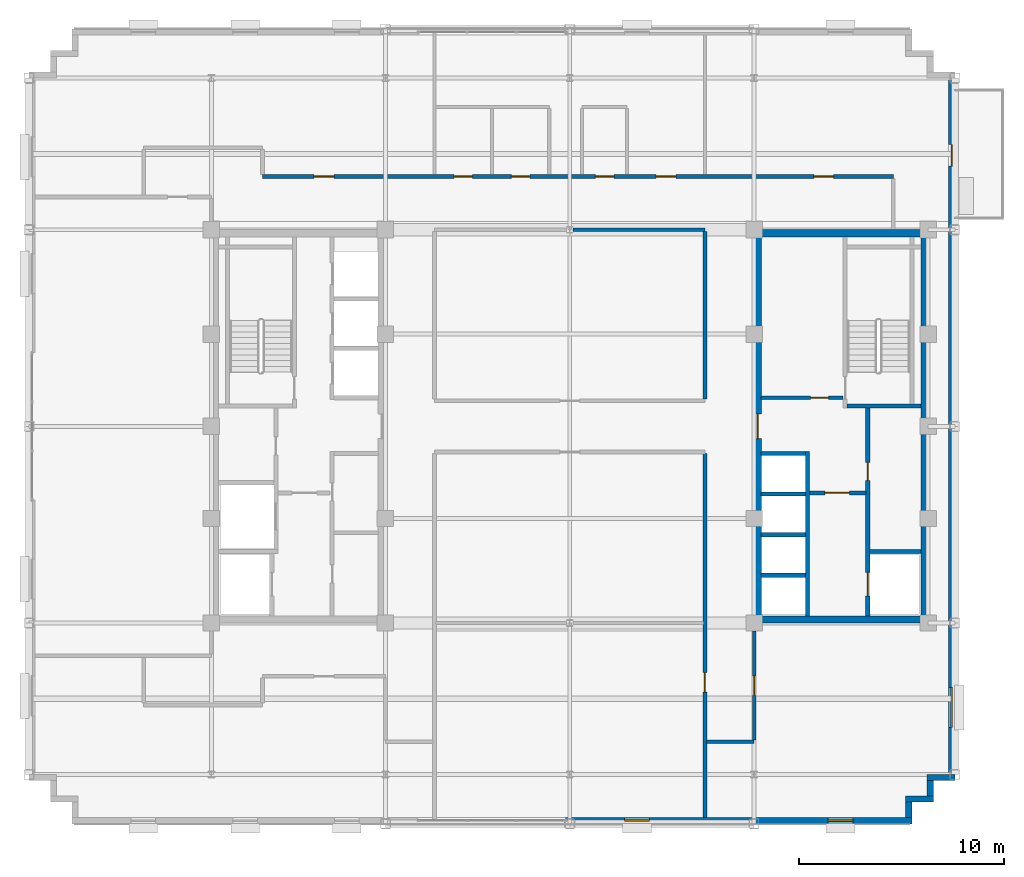
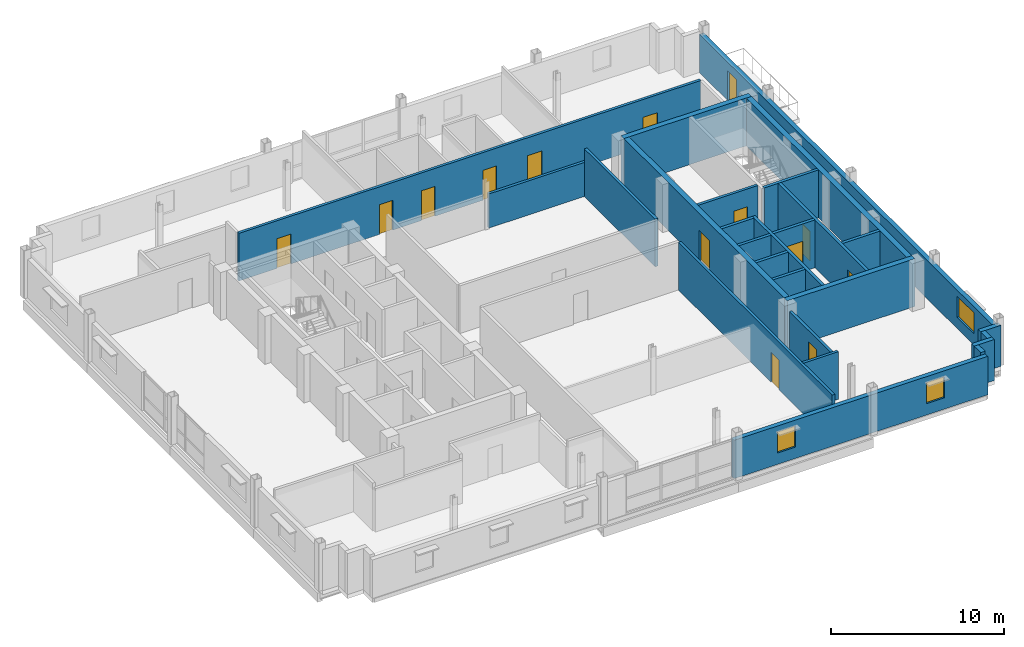
# One storey, part 7 of 16: 26 walls, 14 doors, 3 windows, 17 openings.
"""IFC4 building model written with IfcOpenShell, lengths in metres."""

from ifc_helpers import new_model, si_unit, direction, frame, frame_2d, origin, place, context, subcontext, project, spatial, rectangle, extrude, source, transform, mapped, material, layer, layer_set, type_object, type_shapes, element, fill, save


model = new_model("IFC4")

# Units and contexts
model_context = context("Model", 3, precision=1e-05, world=origin(), true_north=direction((0.0, 1.0)))
body_context = subcontext(model_context, "Body", "Model", "MODEL_VIEW")
ifc_project = project(units=[si_unit("LENGTHUNIT", "METRE"), si_unit("AREAUNIT", "SQUARE_METRE"), si_unit("VOLUMEUNIT", "CUBIC_METRE"), si_unit("PLANEANGLEUNIT", "RADIAN"), si_unit("MASSUNIT", "GRAM", prefix="KILO")], contexts=[model_context])

# Site, building, storey
site_placement = place(None, origin())
site = spatial("IfcSite", under=ifc_project, at=site_placement, CompositionType="ELEMENT")
building_placement = place(site_placement, origin())
building = spatial("IfcBuilding", under=site, at=building_placement, Name="Nuvemarco Arch Tower", CompositionType="ELEMENT")
storey_placement = place(building_placement, frame((0.0, 0.0, 227.39990234375)))
storey = spatial("IfcBuildingStorey", under=building, at=storey_placement, Name="L60", CompositionType="ELEMENT", Elevation=227.39990234375)

# Wall, openings, windows
ifc_material_1 = material(Name="Precast concrete C45/55", Category="concrete")
ifc_layer_1 = layer(ifc_material_1, 0.300048828125, Name="EW-HIGH-300")
ifc_layer_set_1 = layer_set([ifc_layer_1], Name="Precast concrete C45/55")
wall_type_1 = type_object("IfcWallType", Name="EW-HIGH-300", PredefinedType="STANDARD", material=ifc_layer_set_1)
wall_1_placement = place(storey_placement, frame((-0.199951171875, -19.25, 0.0), z_axis=(0.0, 0.0, 1.0), x_axis=(1.0, 0.0, 0.0)))
wall_1 = element("IfcWall", 1, at=wall_1_placement, inside=storey, type_object=wall_type_1, Name="L60 exterior precast pier wall south right", PredefinedType="STANDARD", context=body_context, shape_type="SweptSolid", body=[
    extrude(rectangle(XDim=16.89990234375, YDim=0.300048828125, at=frame_2d((8.449951171875, 0.0))), origin(), (0.0, 0.0, 1.0), 2.705078125),
])
opening_1_placement = place(wall_1_placement, frame((2.88330078125, 0.0, 0.800048828125)))
opening_1 = element("IfcOpeningElement", 2, at=opening_1_placement, cuts=wall_1, Name="Opening WN-8", PredefinedType="OPENING", context=body_context, shape_type="SweptSolid", body=[
    extrude(rectangle(XDim=1.199951171875, YDim=1.47998046875, at=frame_2d((0.60009765625, 0.739990234375))), frame((0.0, 0.159912109375, 0.0), z_axis=(0.0, -1.0, 0.0), x_axis=(1.0, 0.0, 0.0)), (0.0, 0.0, 1.0), 0.320068359375),
])
opening_2_placement = place(wall_1_placement, frame((12.816650390625, 0.0, 0.800048828125)))
opening_2 = element("IfcOpeningElement", 3, at=opening_2_placement, cuts=wall_1, Name="Opening WN-8", PredefinedType="OPENING", context=body_context, shape_type="SweptSolid", body=[
    extrude(rectangle(XDim=1.199951171875, YDim=1.47998046875, at=frame_2d((0.60009765625, 0.739990234375))), frame((0.0, 0.159912109375, 0.0), z_axis=(0.0, -1.0, 0.0), x_axis=(1.0, 0.0, 0.0)), (0.0, 0.0, 1.0), 0.320068359375),
])
ifc_material_2 = material(Name="Insulated solar-control glass", Category="glass")
window_type_1 = type_object("IfcWindowType", Name="WN-HIGH-1200x1480", PartitioningType="SINGLE_PANEL", PredefinedType="WINDOW", material=ifc_material_2)
shared_shape_1 = source(origin(), body_context, "Body", "SweptSolid", [
    extrude(rectangle(XDim=1.199951171875, YDim=1.47998046875, at=frame_2d((0.60009765625, 0.739990234375))), frame((0.0, 0.030029296875, 0.0), z_axis=(0.0, -1.0, 0.0), x_axis=(1.0, 0.0, 0.0)), (0.0, 0.0, 1.0), 0.06005859375),
])
type_shapes(window_type_1, [shared_shape_1])
window_1_placement = place(opening_1_placement, origin())
window_1 = element("IfcWindow", 4, at=window_1_placement, inside=storey, type_object=window_type_1, Name="L60 punched facade window 1", OverallHeight=1.47998046875, OverallWidth=1.199951171875, PartitioningType="SINGLE_PANEL", PredefinedType="WINDOW", context=body_context, shape_type="MappedRepresentation", body=[
    mapped(shared_shape_1, transform((0.0, 0.0, 0.0), scale=1.0)),
])
fill(opening_1, window_1)
window_2_placement = place(opening_2_placement, origin())
window_2 = element("IfcWindow", 5, at=window_2_placement, inside=storey, type_object=window_type_1, Name="L60 punched facade window 3", OverallHeight=1.47998046875, OverallWidth=1.199951171875, PartitioningType="SINGLE_PANEL", PredefinedType="WINDOW", context=body_context, shape_type="MappedRepresentation", body=[
    mapped(shared_shape_1, transform((0.0, 0.0, 0.0), scale=1.0)),
])
fill(opening_2, window_2)

# Walls
wall_2_placement = place(storey_placement, frame((16.550048828125, -19.10400390625, 0.0), z_axis=(0.0, 0.0, 1.0), x_axis=(0.0, 1.0, 0.0)))
element("IfcWall", 6, at=wall_2_placement, inside=storey, type_object=wall_type_1, Name="L60 exterior precast facade wall 2", PredefinedType="STANDARD", context=body_context, shape_type="SweptSolid", body=[
    extrude(rectangle(XDim=0.758056640625, YDim=0.300048828125, at=frame_2d((0.37890625, 0.0))), origin(), (0.0, 0.0, 1.0), 2.89208984375),
])
wall_3_placement = place(storey_placement, frame((16.39990234375, -18.199951171875, 0.0), z_axis=(0.0, 0.0, 1.0), x_axis=(1.0, 0.0, 0.0)))
element("IfcWall", 7, at=wall_3_placement, inside=storey, type_object=wall_type_1, Name="L60 exterior precast facade wall 3", PredefinedType="STANDARD", context=body_context, shape_type="SweptSolid", body=[
    extrude(rectangle(XDim=1.35009765625, YDim=0.300048828125, at=frame_2d((0.675048828125, 0.0))), origin(), (0.0, 0.0, 1.0), 2.89208984375),
])
wall_4_placement = place(storey_placement, frame((17.60009765625, -18.053955078125, 0.0), z_axis=(0.0, 0.0, 1.0), x_axis=(0.0, 1.0, 0.0)))
element("IfcWall", 8, at=wall_4_placement, inside=storey, type_object=wall_type_1, Name="L60 exterior precast facade wall 4", PredefinedType="STANDARD", context=body_context, shape_type="SweptSolid", body=[
    extrude(rectangle(XDim=0.758056640625, YDim=0.300048828125, at=frame_2d((0.37890625, 0.0))), origin(), (0.0, 0.0, 1.0), 2.89208984375),
])
wall_5_placement = place(storey_placement, frame((17.449951171875, -17.14990234375, 0.0), z_axis=(0.0, 0.0, 1.0), x_axis=(1.0, 0.0, 0.0)))
element("IfcWall", 9, at=wall_5_placement, inside=storey, type_object=wall_type_1, Name="L60 exterior precast facade wall 5", PredefinedType="STANDARD", context=body_context, shape_type="SweptSolid", body=[
    extrude(rectangle(XDim=1.35009765625, YDim=0.300048828125, at=frame_2d((0.675048828125, 0.0))), origin(), (0.0, 0.0, 1.0), 2.89208984375),
])

# Wall, openings, door, window
wall_6_placement = place(storey_placement, frame((18.64990234375, -17.00390625, 0.0), z_axis=(0.0, 0.0, 1.0), x_axis=(0.0, 1.0, 0.0)))
wall_6 = element("IfcWall", 10, at=wall_6_placement, inside=storey, type_object=wall_type_1, Name="L60 exterior precast facade wall 6", PredefinedType="STANDARD", context=body_context, shape_type="SweptSolid", body=[
    extrude(rectangle(XDim=34.0078125, YDim=0.300048828125, at=frame_2d((17.00390625, 0.0))), origin(), (0.0, 0.0, 1.0), 2.705078125),
])
opening_3_placement = place(wall_6_placement, frame((30.754150390625, 0.0, 0.0), z_axis=(0.0, 0.0, 1.0), x_axis=(-1.0, 0.0, 0.0)))
opening_3 = element("IfcOpeningElement", 11, at=opening_3_placement, cuts=wall_6, Name="Opening ED-5", PredefinedType="OPENING", context=body_context, shape_type="SweptSolid", body=[
    extrude(rectangle(XDim=1.050048828125, YDim=2.10009765625, at=frame_2d((0.52490234375, 1.050048828125))), frame((0.0, 0.159912109375, 0.0), z_axis=(0.0, -1.0, 0.0), x_axis=(1.0, 0.0, 0.0)), (0.0, 0.0, 1.0), 0.320068359375),
])
opening_4_placement = place(wall_6_placement, frame((2.311279296875, 0.0, 0.800048828125)))
opening_4 = element("IfcOpeningElement", 12, at=opening_4_placement, cuts=wall_6, Name="Opening WN-7", PredefinedType="OPENING", context=body_context, shape_type="SweptSolid", body=[
    extrude(rectangle(XDim=1.949951171875, YDim=1.47998046875, at=frame_2d((0.97509765625, 0.739990234375))), frame((0.0, 0.159912109375, 0.0), z_axis=(0.0, -1.0, 0.0), x_axis=(1.0, 0.0, 0.0)), (0.0, 0.0, 1.0), 0.320068359375),
])
ifc_material_3 = material(Name="Anodised bronze and laminated glass", Category="glass")
door_type_1 = type_object("IfcDoorType", Name="DR-EXT-TERR", OperationType="NOTDEFINED", PredefinedType="DOOR", material=ifc_material_3)
shared_shape_2 = source(origin(), body_context, "Body", "SweptSolid", [
    extrude(rectangle(XDim=1.050048828125, YDim=2.10009765625, at=frame_2d((0.52490234375, 1.050048828125))), frame((0.0, 0.02490234375, 0.0), z_axis=(0.0, -1.0, 0.0), x_axis=(1.0, 0.0, 0.0)), (0.0, 0.0, 1.0), 0.050048828125),
])
type_shapes(door_type_1, [shared_shape_2])
door_1_placement = place(opening_3_placement, origin())
door_1 = element("IfcDoor", 13, at=door_1_placement, inside=storey, type_object=door_type_1, Name="L60 spiral terrace access door", OperationType="SINGLE_SWING_LEFT", OverallHeight=2.10009765625, OverallWidth=1.050048828125, PredefinedType="DOOR", context=body_context, shape_type="MappedRepresentation", body=[
    mapped(shared_shape_2, transform((0.0, 0.0, 0.0), scale=1.0)),
])
fill(opening_3, door_1)
window_type_2 = type_object("IfcWindowType", Name="WN-HIGH-1950x1480", PartitioningType="DOUBLE_PANEL_VERTICAL", PredefinedType="WINDOW", material=ifc_material_2)
shared_shape_3 = source(origin(), body_context, "Body", "SweptSolid", [
    extrude(rectangle(XDim=1.949951171875, YDim=1.47998046875, at=frame_2d((0.97509765625, 0.739990234375))), frame((0.0, 0.030029296875, 0.0), z_axis=(0.0, -1.0, 0.0), x_axis=(1.0, 0.0, 0.0)), (0.0, 0.0, 1.0), 0.06005859375),
])
type_shapes(window_type_2, [shared_shape_3])
window_3_placement = place(opening_4_placement, origin())
window_3 = element("IfcWindow", 14, at=window_3_placement, inside=storey, type_object=window_type_2, Name="L60 punched facade window 1", OverallHeight=1.47998046875, OverallWidth=1.949951171875, PartitioningType="SINGLE_PANEL", PredefinedType="WINDOW", context=body_context, shape_type="MappedRepresentation", body=[
    mapped(shared_shape_3, transform((0.0, 0.0, 0.0), scale=1.0)),
])
fill(opening_4, window_3)

# Walls
ifc_material_4 = material(Name="Concrete C50/60", Category="concrete")
ifc_layer_2 = layer(ifc_material_4, 0.35009765625, Name="WL-CORE-350")
ifc_layer_set_2 = layer_set([ifc_layer_2], Name="Concrete C50/60")
wall_type_2 = type_object("IfcWallType", Name="WL-CORE-350", PredefinedType="SHEAR", material=ifc_layer_set_2)
for number, where, z_axis, x_axis, name in (
    (15, (9.0, -9.425048828125, 0.0), (0.0, 0.0, 1.0), (1.0, 0.0, 0.0), "L60 E-core shear wall S"),
    (16, (9.0, 9.425048828125, 0.0), (0.0, 0.0, 1.0), (1.0, 0.0, 0.0), "L60 E-core shear wall N"),
):
    element("IfcWall", number, at=place(storey_placement, frame(where, z_axis=z_axis, x_axis=x_axis)), inside=storey, type_object=wall_type_2, Name=name, PredefinedType="SHEAR", context=body_context, shape_type="SweptSolid", body=[
        extrude(rectangle(XDim=8.5, YDim=0.35009765625, at=frame_2d((4.25, 0.0))), origin(), (0.0, 0.0, 1.0), 3.3701171875),
    ])

# Wall, opening, door
wall_7_placement = place(storey_placement, frame((9.175048828125, -9.2548828125, 0.0), z_axis=(0.0, 0.0, 1.0), x_axis=(0.0, 1.0, 0.0)))
wall_7 = element("IfcWall", 17, at=wall_7_placement, inside=storey, type_object=wall_type_2, Name="L60 E-core shear wall W", PredefinedType="SHEAR", context=body_context, shape_type="SweptSolid", body=[
    extrude(rectangle(XDim=18.509765625, YDim=0.35009765625, at=frame_2d((9.2548828125, 0.0))), origin(), (0.0, 0.0, 1.0), 3.3701171875),
])
opening_5_placement = place(wall_7_placement, frame((8.655029296875, 0.0, 0.0)))
opening_5 = element("IfcOpeningElement", 18, at=opening_5_placement, cuts=wall_7, Name="Opening FD-2", PredefinedType="OPENING", context=body_context, shape_type="SweptSolid", body=[
    extrude(rectangle(XDim=1.199951171875, YDim=2.14990234375, at=frame_2d((0.60009765625, 1.074951171875))), frame((0.0, 0.18505859375, 0.0), z_axis=(0.0, -1.0, 0.0), x_axis=(1.0, 0.0, 0.0)), (0.0, 0.0, 1.0), 0.3701171875),
])
ifc_material_5 = material(Name="Anodised steel fire door", Category="steel")
door_type_2 = type_object("IfcDoorType", Name="DR-FFLOB-FD", OperationType="NOTDEFINED", PredefinedType="DOOR", material=ifc_material_5)
shared_shape_4 = source(origin(), body_context, "Body", "SweptSolid", [
    extrude(rectangle(XDim=1.199951171875, YDim=2.14990234375, at=frame_2d((0.60009765625, 1.074951171875))), frame((0.0, 0.02490234375, 0.0), z_axis=(0.0, -1.0, 0.0), x_axis=(1.0, 0.0, 0.0)), (0.0, 0.0, 1.0), 0.050048828125),
])
type_shapes(door_type_2, [shared_shape_4])
door_2_placement = place(opening_5_placement, origin())
door_2 = element("IfcDoor", 19, at=door_2_placement, inside=storey, type_object=door_type_2, Name="L60 door FD-L60-ECORE-W", OperationType="SINGLE_SWING_RIGHT", OverallHeight=2.14990234375, OverallWidth=1.199951171875, PredefinedType="DOOR", context=body_context, shape_type="MappedRepresentation", body=[
    mapped(shared_shape_4, transform((0.0, 0.0, 0.0), scale=1.0)),
])
fill(opening_5, door_2)

# Wall
wall_8_placement = place(storey_placement, frame((17.324951171875, -9.2548828125, 0.0), z_axis=(0.0, 0.0, 1.0), x_axis=(0.0, 1.0, 0.0)))
element("IfcWall", 20, at=wall_8_placement, inside=storey, type_object=wall_type_2, Name="L60 E-core shear wall E", PredefinedType="SHEAR", context=body_context, shape_type="SweptSolid", body=[
    extrude(rectangle(XDim=18.509765625, YDim=0.35009765625, at=frame_2d((9.2548828125, 0.0))), origin(), (0.0, 0.0, 1.0), 3.3701171875),
])

# Wall, opening, door
ifc_material_6 = material(Name="Fire-rated gypsum drywall partition")
ifc_layer_3 = layer(ifc_material_6, 0.179931640625, Name="WL-CORR-180")
ifc_layer_set_3 = layer_set([ifc_layer_3], Name="Fire-rated gypsum drywall partition")
wall_type_3 = type_object("IfcWallType", Name="WL-CORR-180", PredefinedType="PARTITIONING", material=ifc_layer_set_3)
wall_9_placement = place(storey_placement, frame((9.344970703125, 1.39990234375, 0.0), z_axis=(0.0, 0.0, 1.0), x_axis=(1.0, 0.0, 0.0)))
wall_9 = element("IfcWall", 21, at=wall_9_placement, inside=storey, type_object=wall_type_3, Name="L60 interior wall IW-L60-EK-S", PredefinedType="PARTITIONING", context=body_context, shape_type="SweptSolid", body=[
    extrude(rectangle(XDim=4.0, YDim=0.179931640625, at=frame_2d((2.0, 0.0))), origin(), (0.0, 0.0, 1.0), 3.360107421875),
])
opening_6_placement = place(wall_9_placement, frame((2.4150390625, 0.0, 0.0)))
opening_6 = element("IfcOpeningElement", 22, at=opening_6_placement, cuts=wall_9, Name="Opening FD-4", PredefinedType="OPENING", context=body_context, shape_type="SweptSolid", body=[
    extrude(rectangle(XDim=0.8798828125, YDim=2.10009765625, at=frame_2d((0.43994140625, 1.050048828125))), frame((0.0, 0.099853515625, 0.0), z_axis=(0.0, -1.0, 0.0), x_axis=(1.0, 0.0, 0.0)), (0.0, 0.0, 1.0), 0.199951171875),
])
door_type_3 = type_object("IfcDoorType", Name="DR-RISER-FD", OperationType="NOTDEFINED", PredefinedType="DOOR", material=ifc_material_5)
shared_shape_5 = source(origin(), body_context, "Body", "SweptSolid", [
    extrude(rectangle(XDim=0.8798828125, YDim=2.10009765625, at=frame_2d((0.43994140625, 1.050048828125))), frame((0.0, 0.02490234375, 0.0), z_axis=(0.0, -1.0, 0.0), x_axis=(1.0, 0.0, 0.0)), (0.0, 0.0, 1.0), 0.050048828125),
])
type_shapes(door_type_3, [shared_shape_5])
door_3_placement = place(opening_6_placement, origin())
door_3 = element("IfcDoor", 23, at=door_3_placement, inside=storey, type_object=door_type_3, Name="L60 door FD-L60-EK1A", OperationType="SINGLE_SWING_LEFT", OverallHeight=2.10009765625, OverallWidth=0.8798828125, PredefinedType="DOOR", context=body_context, shape_type="MappedRepresentation", body=[
    mapped(shared_shape_5, transform((0.0, 0.0, 0.0), scale=1.0)),
])
fill(opening_6, door_3)

# Walls
wall_10_placement = place(storey_placement, frame((6.666015625, -15.39990234375, 0.0), z_axis=(0.0, 0.0, 1.0), x_axis=(1.0, 0.0, 0.0)))
element("IfcWall", 24, at=wall_10_placement, inside=storey, type_object=wall_type_3, Name="L60 interior wall IW-L60-002", PredefinedType="PARTITIONING", context=body_context, shape_type="SweptSolid", body=[
    extrude(rectangle(XDim=2.333984375, YDim=0.179931640625, at=frame_2d((1.1669921875, 0.0))), origin(), (0.0, 0.0, 1.0), 3.360107421875),
])
wall_11_placement = place(storey_placement, frame((0.15087890625, 9.60009765625, 0.0), z_axis=(0.0, 0.0, 1.0), x_axis=(1.0, 0.0, 0.0)))
element("IfcWall", 25, at=wall_11_placement, inside=storey, type_object=wall_type_3, Name="L60 interior wall IW-L60-011", PredefinedType="PARTITIONING", context=body_context, shape_type="SweptSolid", body=[
    extrude(rectangle(XDim=6.44921875, YDim=0.179931640625, at=frame_2d((3.224609375, 0.0))), origin(), (0.0, 0.0, 1.0), 2.405029296875),
])

# Wall, openings, doors
wall_12_placement = place(storey_placement, frame((-15.0, 12.199951171875, 0.0), z_axis=(0.0, 0.0, 1.0), x_axis=(1.0, 0.0, 0.0)))
wall_12 = element("IfcWall", 26, at=wall_12_placement, inside=storey, type_object=wall_type_3, Name="L60 interior wall IW-L60-013", PredefinedType="PARTITIONING", context=body_context, shape_type="SweptSolid", body=[
    extrude(rectangle(XDim=30.800048828125, YDim=0.179931640625, at=frame_2d((15.39990234375, 0.0))), origin(), (0.0, 0.0, 1.0), 3.360107421875),
])
opening_7_placement = place(wall_12_placement, frame((26.919921875, 0.0, 0.0)))
opening_7 = element("IfcOpeningElement", 27, at=opening_7_placement, cuts=wall_12, Name="Opening FD-5", PredefinedType="OPENING", context=body_context, shape_type="SweptSolid", body=[
    extrude(rectangle(XDim=0.9599609375, YDim=2.10009765625, at=frame_2d((0.47998046875, 1.050048828125))), frame((0.0, 0.099853515625, 0.0), z_axis=(0.0, -1.0, 0.0), x_axis=(1.0, 0.0, 0.0)), (0.0, 0.0, 1.0), 0.199951171875),
])
opening_8_placement = place(wall_12_placement, frame((2.52001953125, 0.0, 0.0)))
opening_8 = element("IfcOpeningElement", 28, at=opening_8_placement, cuts=wall_12, Name="Opening FD-5", PredefinedType="OPENING", context=body_context, shape_type="SweptSolid", body=[
    extrude(rectangle(XDim=0.9599609375, YDim=2.10009765625, at=frame_2d((0.47998046875, 1.050048828125))), frame((0.0, 0.099853515625, 0.0), z_axis=(0.0, -1.0, 0.0), x_axis=(1.0, 0.0, 0.0)), (0.0, 0.0, 1.0), 0.199951171875),
])
opening_9_placement = place(wall_12_placement, frame((19.219970703125, 0.0, 0.0)))
opening_9 = element("IfcOpeningElement", 29, at=opening_9_placement, cuts=wall_12, Name="Opening FD-5", PredefinedType="OPENING", context=body_context, shape_type="SweptSolid", body=[
    extrude(rectangle(XDim=0.9599609375, YDim=2.10009765625, at=frame_2d((0.47998046875, 1.050048828125))), frame((0.0, 0.099853515625, 0.0), z_axis=(0.0, -1.0, 0.0), x_axis=(1.0, 0.0, 0.0)), (0.0, 0.0, 1.0), 0.199951171875),
])
opening_10_placement = place(wall_12_placement, frame((9.35009765625, 0.0, 0.0)))
opening_10 = element("IfcOpeningElement", 30, at=opening_10_placement, cuts=wall_12, Name="Opening ID-3", PredefinedType="OPENING", context=body_context, shape_type="SweptSolid", body=[
    extrude(rectangle(XDim=0.89990234375, YDim=2.10009765625, at=frame_2d((0.449951171875, 1.050048828125))), frame((0.0, 0.099853515625, 0.0), z_axis=(0.0, -1.0, 0.0), x_axis=(1.0, 0.0, 0.0)), (0.0, 0.0, 1.0), 0.199951171875),
])
opening_11_placement = place(wall_12_placement, frame((12.14990234375, 0.0, 0.0)))
opening_11 = element("IfcOpeningElement", 31, at=opening_11_placement, cuts=wall_12, Name="Opening ID-3", PredefinedType="OPENING", context=body_context, shape_type="SweptSolid", body=[
    extrude(rectangle(XDim=0.89990234375, YDim=2.10009765625, at=frame_2d((0.449951171875, 1.050048828125))), frame((0.0, 0.099853515625, 0.0), z_axis=(0.0, -1.0, 0.0), x_axis=(1.0, 0.0, 0.0)), (0.0, 0.0, 1.0), 0.199951171875),
])
opening_12_placement = place(wall_12_placement, frame((16.25, 0.0, 0.0)))
opening_12 = element("IfcOpeningElement", 32, at=opening_12_placement, cuts=wall_12, Name="Opening ID-3", PredefinedType="OPENING", context=body_context, shape_type="SweptSolid", body=[
    extrude(rectangle(XDim=0.89990234375, YDim=2.10009765625, at=frame_2d((0.449951171875, 1.050048828125))), frame((0.0, 0.099853515625, 0.0), z_axis=(0.0, -1.0, 0.0), x_axis=(1.0, 0.0, 0.0)), (0.0, 0.0, 1.0), 0.199951171875),
])
ifc_material_7 = material(Name="Timber fire door", Category="wood")
door_type_4 = type_object("IfcDoorType", Name="DR-CORR-FD", OperationType="NOTDEFINED", PredefinedType="DOOR", material=ifc_material_7)
shared_shape_6 = source(origin(), body_context, "Body", "SweptSolid", [
    extrude(rectangle(XDim=0.9599609375, YDim=2.10009765625, at=frame_2d((0.47998046875, 1.050048828125))), frame((0.0, 0.02490234375, 0.0), z_axis=(0.0, -1.0, 0.0), x_axis=(1.0, 0.0, 0.0)), (0.0, 0.0, 1.0), 0.050048828125),
])
type_shapes(door_type_4, [shared_shape_6])
door_4_placement = place(opening_7_placement, origin())
door_4 = element("IfcDoor", 33, at=door_4_placement, inside=storey, type_object=door_type_4, Name="L60 door DR-L60-N_3", OperationType="SINGLE_SWING_RIGHT", OverallHeight=2.10009765625, OverallWidth=0.9599609375, PredefinedType="DOOR", context=body_context, shape_type="MappedRepresentation", body=[
    mapped(shared_shape_6, transform((0.0, 0.0, 0.0), scale=1.0)),
])
fill(opening_7, door_4)
door_5_placement = place(opening_8_placement, origin())
door_5 = element("IfcDoor", 34, at=door_5_placement, inside=storey, type_object=door_type_4, Name="L60 door DR-L60-N_1", OperationType="SINGLE_SWING_LEFT", OverallHeight=2.10009765625, OverallWidth=0.9599609375, PredefinedType="DOOR", context=body_context, shape_type="MappedRepresentation", body=[
    mapped(shared_shape_6, transform((0.0, 0.0, 0.0), scale=1.0)),
])
fill(opening_8, door_5)
door_6_placement = place(opening_9_placement, origin())
door_6 = element("IfcDoor", 35, at=door_6_placement, inside=storey, type_object=door_type_4, Name="L60 door DR-L60-N_2", OperationType="SINGLE_SWING_LEFT", OverallHeight=2.10009765625, OverallWidth=0.9599609375, PredefinedType="DOOR", context=body_context, shape_type="MappedRepresentation", body=[
    mapped(shared_shape_6, transform((0.0, 0.0, 0.0), scale=1.0)),
])
fill(opening_9, door_6)
ifc_material_8 = material(Name="Veneered oak timber fire door", Category="wood")
door_type_5 = type_object("IfcDoorType", Name="DR-WC-ACC", OperationType="NOTDEFINED", PredefinedType="DOOR", material=ifc_material_8)
shared_shape_7 = source(origin(), body_context, "Body", "SweptSolid", [
    extrude(rectangle(XDim=0.89990234375, YDim=2.10009765625, at=frame_2d((0.449951171875, 1.050048828125))), frame((0.0, 0.02490234375, 0.0), z_axis=(0.0, -1.0, 0.0), x_axis=(1.0, 0.0, 0.0)), (0.0, 0.0, 1.0), 0.050048828125),
])
type_shapes(door_type_5, [shared_shape_7])
door_7_placement = place(opening_10_placement, origin())
door_7 = element("IfcDoor", 36, at=door_7_placement, inside=storey, type_object=door_type_5, Name="L60 door DR-L60-WC_M", OperationType="SINGLE_SWING_LEFT", OverallHeight=2.10009765625, OverallWidth=0.89990234375, PredefinedType="DOOR", context=body_context, shape_type="MappedRepresentation", body=[
    mapped(shared_shape_7, transform((0.0, 0.0, 0.0), scale=1.0)),
])
fill(opening_10, door_7)
door_8_placement = place(opening_11_placement, origin())
door_8 = element("IfcDoor", 37, at=door_8_placement, inside=storey, type_object=door_type_5, Name="L60 door DR-L60-WC_F", OperationType="SINGLE_SWING_RIGHT", OverallHeight=2.10009765625, OverallWidth=0.89990234375, PredefinedType="DOOR", context=body_context, shape_type="MappedRepresentation", body=[
    mapped(shared_shape_7, transform((0.0, 0.0, 0.0), scale=1.0)),
])
fill(opening_11, door_8)
door_9_placement = place(opening_12_placement, origin())
door_9 = element("IfcDoor", 38, at=door_9_placement, inside=storey, type_object=door_type_5, Name="L60 door DR-L60-WC_ACC", OperationType="SINGLE_SWING_LEFT", OverallHeight=2.10009765625, OverallWidth=0.89990234375, PredefinedType="DOOR", context=body_context, shape_type="MappedRepresentation", body=[
    mapped(shared_shape_7, transform((0.0, 0.0, 0.0), scale=1.0)),
])
fill(opening_12, door_9)

# Wall, opening, door
wall_13_placement = place(storey_placement, frame((6.60009765625, -19.10009765625, 0.0), z_axis=(0.0, 0.0, 1.0), x_axis=(0.0, 1.0, 0.0)))
wall_13 = element("IfcWall", 39, at=wall_13_placement, inside=storey, type_object=wall_type_3, Name="L60 interior wall IW-L60-031", PredefinedType="PARTITIONING", context=body_context, shape_type="SweptSolid", body=[
    extrude(rectangle(XDim=17.76416015625, YDim=0.179931640625, at=frame_2d((8.882080078125, 0.0))), origin(), (0.0, 0.0, 1.0), 3.360107421875),
])
opening_13_placement = place(wall_13_placement, frame((6.1201171875, 0.0, 0.0)))
opening_13 = element("IfcOpeningElement", 40, at=opening_13_placement, cuts=wall_13, Name="Opening FD-5", PredefinedType="OPENING", context=body_context, shape_type="SweptSolid", body=[
    extrude(rectangle(XDim=0.9599609375, YDim=2.10009765625, at=frame_2d((0.47998046875, 1.050048828125))), frame((0.0, 0.099853515625, 0.0), z_axis=(0.0, -1.0, 0.0), x_axis=(1.0, 0.0, 0.0)), (0.0, 0.0, 1.0), 0.199951171875),
])
door_10_placement = place(opening_13_placement, origin())
door_10 = element("IfcDoor", 41, at=door_10_placement, inside=storey, type_object=door_type_4, Name="L60 door DR-L60-S_2", OperationType="SINGLE_SWING_LEFT", OverallHeight=2.10009765625, OverallWidth=0.9599609375, PredefinedType="DOOR", context=body_context, shape_type="MappedRepresentation", body=[
    mapped(shared_shape_6, transform((0.0, 0.0, 0.0), scale=1.0)),
])
fill(opening_13, door_10)

# Wall
wall_14_placement = place(storey_placement, frame((6.60009765625, 1.3359375, 0.0), z_axis=(0.0, 0.0, 1.0), x_axis=(0.0, 1.0, 0.0)))
element("IfcWall", 42, at=wall_14_placement, inside=storey, type_object=wall_type_3, Name="L60 interior wall IW-L60-032", PredefinedType="PARTITIONING", context=body_context, shape_type="SweptSolid", body=[
    extrude(rectangle(XDim=8.177978515625, YDim=0.179931640625, at=frame_2d((4.0888671875, 0.0))), origin(), (0.0, 0.0, 1.0), 3.360107421875),
])

# Wall, opening, door
wall_15_placement = place(storey_placement, frame((9.0, -15.31396484375, 0.0), z_axis=(0.0, 0.0, 1.0), x_axis=(0.0, 1.0, 0.0)))
wall_15 = element("IfcWall", 43, at=wall_15_placement, inside=storey, type_object=wall_type_3, Name="L60 interior wall IW-L60-034", PredefinedType="PARTITIONING", context=body_context, shape_type="SweptSolid", body=[
    extrude(rectangle(XDim=5.31787109375, YDim=0.179931640625, at=frame_2d((2.658935546875, 0.0))), origin(), (0.0, 0.0, 1.0), 2.89208984375),
])
opening_14_placement = place(wall_15_placement, frame((2.178955078125, 0.0, 0.0)))
opening_14 = element("IfcOpeningElement", 44, at=opening_14_placement, cuts=wall_15, Name="Opening FD-5", PredefinedType="OPENING", context=body_context, shape_type="SweptSolid", body=[
    extrude(rectangle(XDim=0.9599609375, YDim=2.10009765625, at=frame_2d((0.47998046875, 1.050048828125))), frame((0.0, 0.099853515625, 0.0), z_axis=(0.0, -1.0, 0.0), x_axis=(1.0, 0.0, 0.0)), (0.0, 0.0, 1.0), 0.199951171875),
])
door_11_placement = place(opening_14_placement, origin())
door_11 = element("IfcDoor", 45, at=door_11_placement, inside=storey, type_object=door_type_4, Name="L60 door DR-L60-S_3", OperationType="SINGLE_SWING_RIGHT", OverallHeight=2.10009765625, OverallWidth=0.9599609375, PredefinedType="DOOR", context=body_context, shape_type="MappedRepresentation", body=[
    mapped(shared_shape_6, transform((0.0, 0.0, 0.0), scale=1.0)),
])
fill(opening_14, door_11)

# Wall
ifc_layer_4 = layer(ifc_material_4, 0.199951171875, Name="WL-SHAFT-220")
ifc_layer_set_4 = layer_set([ifc_layer_4], Name="Concrete C50/60")
wall_type_4 = type_object("IfcWallType", Name="WL-SHAFT-220", PredefinedType="SHEAR", material=ifc_layer_set_4)
wall_16_placement = place(storey_placement, frame((13.534912109375, 1.0, 0.0), z_axis=(0.0, 0.0, 1.0), x_axis=(1.0, 0.0, 0.0)))
element("IfcWall", 46, at=wall_16_placement, inside=storey, type_object=wall_type_4, Name="L60 structural shaft wall SW-L60-E-ST2S", PredefinedType="SHEAR", context=body_context, shape_type="SweptSolid", body=[
    extrude(rectangle(XDim=3.6201171875, YDim=0.199951171875, at=frame_2d((1.81005859375, 0.0))), origin(), (0.0, 0.0, 1.0), 3.3701171875),
])

# Wall, openings, doors
wall_17_placement = place(storey_placement, frame((14.550048828125, -9.2548828125, 0.0), z_axis=(0.0, 0.0, 1.0), x_axis=(0.0, 1.0, 0.0)))
wall_17 = element("IfcWall", 47, at=wall_17_placement, inside=storey, type_object=wall_type_4, Name="L60 structural shaft wall SW-L60-E-SHW", PredefinedType="SHEAR", context=body_context, shape_type="SweptSolid", body=[
    extrude(rectangle(XDim=10.159912109375, YDim=0.199951171875, at=frame_2d((5.080078125, 0.0))), origin(), (0.0, 0.0, 1.0), 3.3701171875),
])
opening_15_placement = place(wall_17_placement, frame((6.614990234375, 0.0, 0.0)))
opening_15 = element("IfcOpeningElement", 48, at=opening_15_placement, cuts=wall_17, Name="Opening FD-4", PredefinedType="OPENING", context=body_context, shape_type="SweptSolid", body=[
    extrude(rectangle(XDim=0.8798828125, YDim=2.10009765625, at=frame_2d((0.43994140625, 1.050048828125))), frame((0.0, 0.10986328125, 0.0), z_axis=(0.0, -1.0, 0.0), x_axis=(1.0, 0.0, 0.0)), (0.0, 0.0, 1.0), 0.219970703125),
])
opening_16_placement = place(wall_17_placement, frame((0.97998046875, 0.0, 0.0)))
opening_16 = element("IfcOpeningElement", 49, at=opening_16_placement, cuts=wall_17, Name="Opening LD-2", PredefinedType="OPENING", context=body_context, shape_type="SweptSolid", body=[
    extrude(rectangle(XDim=1.14990234375, YDim=2.14990234375, at=frame_2d((0.574951171875, 1.074951171875))), frame((0.0, 0.10986328125, 0.0), z_axis=(0.0, -1.0, 0.0), x_axis=(1.0, 0.0, 0.0)), (0.0, 0.0, 1.0), 0.219970703125),
])
door_12_placement = place(opening_15_placement, origin())
door_12 = element("IfcDoor", 50, at=door_12_placement, inside=storey, type_object=door_type_3, Name="L60 door FD-L60-ERIS", OperationType="SINGLE_SWING_RIGHT", OverallHeight=2.10009765625, OverallWidth=0.8798828125, PredefinedType="DOOR", context=body_context, shape_type="MappedRepresentation", body=[
    mapped(shared_shape_5, transform((0.0, 0.0, 0.0), scale=1.0)),
])
fill(opening_15, door_12)
ifc_material_9 = material(Name="Stainless steel lift door", Category="steel")
door_type_6 = type_object("IfcDoorType", Name="DR-LIFT-FIRE", OperationType="DOUBLE_DOOR_SLIDING", PredefinedType="DOOR", material=ifc_material_9)
shared_shape_8 = source(origin(), body_context, "Body", "SweptSolid", [
    extrude(rectangle(XDim=1.14990234375, YDim=2.14990234375, at=frame_2d((0.574951171875, 1.074951171875))), frame((0.0, 0.02490234375, 0.0), z_axis=(0.0, -1.0, 0.0), x_axis=(1.0, 0.0, 0.0)), (0.0, 0.0, 1.0), 0.050048828125),
])
type_shapes(door_type_6, [shared_shape_8])
door_13_placement = place(opening_16_placement, origin())
door_13 = element("IfcDoor", 51, at=door_13_placement, inside=storey, type_object=door_type_6, Name="L60 Lift landing sliding door FFL-2", OperationType="DOUBLE_DOOR_SLIDING", OverallHeight=2.14990234375, OverallWidth=1.14990234375, PredefinedType="DOOR", context=body_context, shape_type="MappedRepresentation", body=[
    mapped(shared_shape_8, transform((0.0, 0.0, 0.0), scale=1.0)),
])
fill(opening_16, door_13)

# Walls
wall_18_placement = place(storey_placement, frame((14.64501953125, -6.10009765625, 0.0), z_axis=(0.0, 0.0, 1.0), x_axis=(1.0, 0.0, 0.0)))
element("IfcWall", 52, at=wall_18_placement, inside=storey, type_object=wall_type_4, Name="L60 structural shaft wall SW-L60-E-SH1", PredefinedType="SHEAR", context=body_context, shape_type="SweptSolid", body=[
    extrude(rectangle(XDim=2.510009765625, YDim=0.199951171875, at=frame_2d((1.2548828125, 0.0))), origin(), (0.0, 0.0, 1.0), 3.3701171875),
])
wall_19_placement = place(storey_placement, frame((11.60009765625, -9.2548828125, 0.0), z_axis=(0.0, 0.0, 1.0), x_axis=(0.0, 1.0, 0.0)))
element("IfcWall", 53, at=wall_19_placement, inside=storey, type_object=wall_type_4, Name="L60 structural shaft wall SW-L60-E-PME", PredefinedType="SHEAR", context=body_context, shape_type="SweptSolid", body=[
    extrude(rectangle(XDim=8.02490234375, YDim=0.199951171875, at=frame_2d((4.012451171875, 0.0))), origin(), (0.0, 0.0, 1.0), 3.3701171875),
])

# Wall, opening, door
wall_20_placement = place(storey_placement, frame((11.695068359375, -3.25, 0.0), z_axis=(0.0, 0.0, 1.0), x_axis=(1.0, 0.0, 0.0)))
wall_20 = element("IfcWall", 54, at=wall_20_placement, inside=storey, type_object=wall_type_4, Name="L60 structural shaft wall SW-L60-E-FFN", PredefinedType="SHEAR", context=body_context, shape_type="SweptSolid", body=[
    extrude(rectangle(XDim=2.760009765625, YDim=0.199951171875, at=frame_2d((1.3798828125, 0.0))), origin(), (0.0, 0.0, 1.0), 3.3701171875),
])
opening_17_placement = place(wall_20_placement, frame((0.7548828125, 0.0, 0.0)))
opening_17 = element("IfcOpeningElement", 55, at=opening_17_placement, cuts=wall_20, Name="Opening FD-2", PredefinedType="OPENING", context=body_context, shape_type="SweptSolid", body=[
    extrude(rectangle(XDim=1.199951171875, YDim=2.14990234375, at=frame_2d((0.60009765625, 1.074951171875))), frame((0.0, 0.10986328125, 0.0), z_axis=(0.0, -1.0, 0.0), x_axis=(1.0, 0.0, 0.0)), (0.0, 0.0, 1.0), 0.219970703125),
])
door_14_placement = place(opening_17_placement, origin())
door_14 = element("IfcDoor", 56, at=door_14_placement, inside=storey, type_object=door_type_2, Name="L60 door FD-L60-EFF2", OperationType="SINGLE_SWING_RIGHT", OverallHeight=2.14990234375, OverallWidth=1.199951171875, PredefinedType="DOOR", context=body_context, shape_type="MappedRepresentation", body=[
    mapped(shared_shape_4, transform((0.0, 0.0, 0.0), scale=1.0)),
])
fill(opening_17, door_14)

# Walls
for number, where, z_axis, x_axis, name in (
    (57, (9.344970703125, -7.27001953125, 0.0), (0.0, 0.0, 1.0), (1.0, 0.0, 0.0), "L60 structural shaft wall SW-L60-E-PMD1"),
    (58, (9.344970703125, -5.2900390625, 0.0), (0.0, 0.0, 1.0), (1.0, 0.0, 0.0), "L60 structural shaft wall SW-L60-E-PMD2"),
    (59, (9.344970703125, -3.31005859375, 0.0), (0.0, 0.0, 1.0), (1.0, 0.0, 0.0), "L60 structural shaft wall SW-L60-E-PMD3"),
    (60, (9.344970703125, -1.330078125, 0.0), (0.0, 0.0, 1.0), (1.0, 0.0, 0.0), "L60 structural shaft wall SW-L60-E-PMD4"),
):
    element("IfcWall", number, at=place(storey_placement, frame(where, z_axis=z_axis, x_axis=x_axis)), inside=storey, type_object=wall_type_4, Name=name, PredefinedType="SHEAR", context=body_context, shape_type="SweptSolid", body=[
        extrude(rectangle(XDim=2.159912109375, YDim=0.199951171875, at=frame_2d((1.080078125, 0.0))), origin(), (0.0, 0.0, 1.0), 3.3701171875),
    ])

save(model, "model.ifc")
